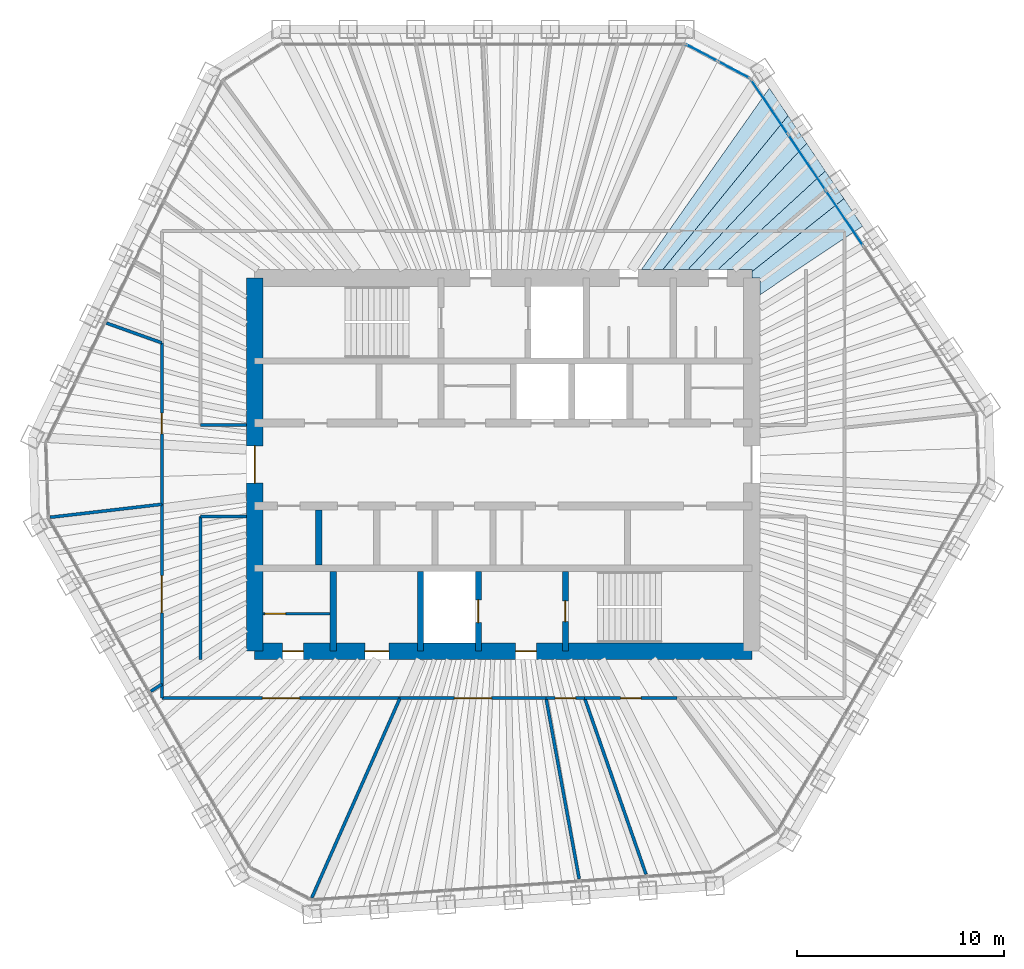
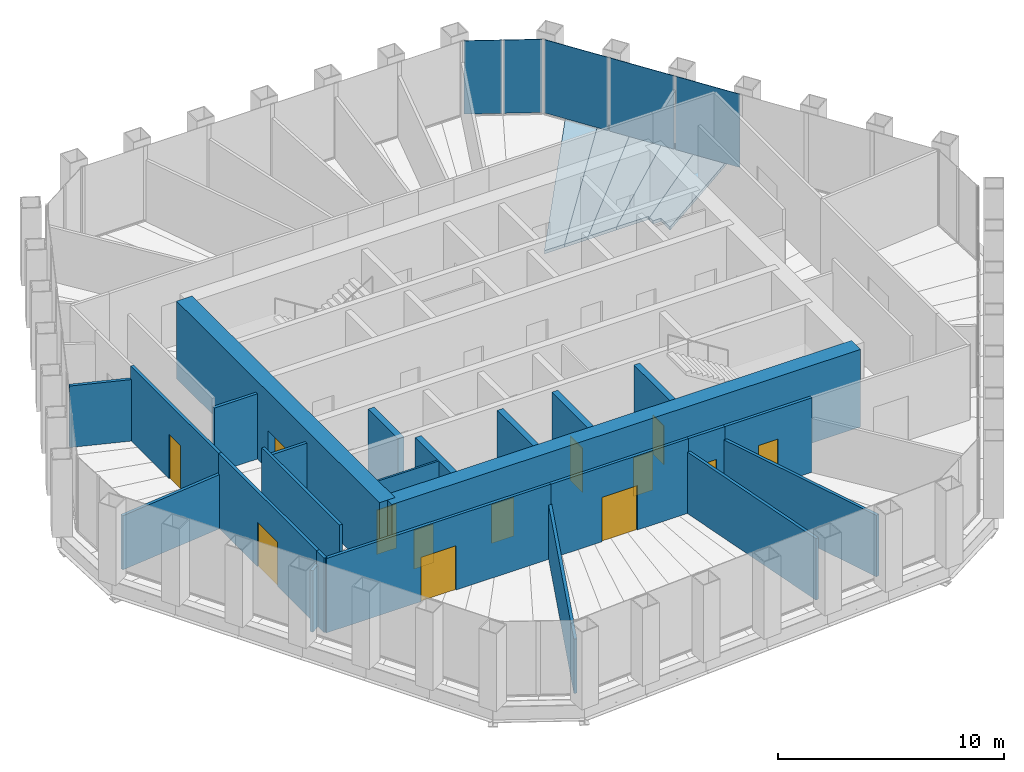
# One storey, part 11 of 15: 24 walls, 13 doors, 5 plates, 5 slabs, 13 openings, 2 elements without a shape of their own.
"""IFC4 building model written with IfcOpenShell, lengths in metres."""

from ifc_helpers import new_model, si_unit, direction, frame, frame_2d, origin, origin_2d, place, context, subcontext, project, spatial, polyline, rectangle, outline, extrude, material, layer, layer_set, type_object, element, fill, aggregate, save


model = new_model("IFC4")

# Units and contexts
model_context = context("Model", 3, precision=1e-05, world=origin(), true_north=direction((0.0, 1.0)))
body_context = subcontext(model_context, "Body", "Model", "MODEL_VIEW")
ifc_project = project(units=[si_unit("LENGTHUNIT", "METRE"), si_unit("AREAUNIT", "SQUARE_METRE"), si_unit("VOLUMEUNIT", "CUBIC_METRE"), si_unit("PLANEANGLEUNIT", "RADIAN"), si_unit("MASSUNIT", "GRAM", prefix="KILO")], contexts=[model_context])

# Site, building, storey
site_placement = place(None, origin())
site = spatial("IfcSite", under=ifc_project, at=site_placement, CompositionType="ELEMENT")
building_placement = place(site_placement, origin())
building = spatial("IfcBuilding", under=site, at=building_placement, Name="Qingtian Harvest Tower", CompositionType="ELEMENT")
storey_placement = place(building_placement, frame((0.0, 0.0, 312.39990234375)))
storey = spatial("IfcBuildingStorey", under=building, at=storey_placement, Name="L69", CompositionType="ELEMENT", Elevation=312.39990234375)

# Slabs
ifc_material_1 = material(Name="Concrete fc' 35 MPa", Category="concrete")
ifc_layer_1 = layer(ifc_material_1, 0.169921875)
ifc_layer_set_1 = layer_set([ifc_layer_1], Name="Composite floor slab FS17 170")
slab_type = type_object("IfcSlabType", Name="Composite floor slab FS17 170", PredefinedType="FLOOR", material=ifc_layer_set_1)
slab_1_placement = place(storey_placement, frame((0.0, 0.0, -0.169921875)))
element("IfcSlab", 1, at=slab_1_placement, inside=storey, type_object=slab_type, Name="Floor slab L69 panel D47", PredefinedType="FLOOR", context=body_context, shape_type="SweptSolid", body=[
    extrude(outline(polyline([(12.39990234375, 9.0), (12.0, 9.0), (12.0, 9.30908203125), (16.44140625, 12.830078125), (17.340576171875, 11.4970703125), (12.39990234375, 8.199462890625), (12.39990234375, 9.0)])), origin(), (0.0, 0.0, 1.0), 0.169921875),
])
slab_2_placement = place(storey_placement, frame((0.0, 0.0, -0.169921875)))
element("IfcSlab", 2, at=slab_2_placement, inside=storey, type_object=slab_type, Name="Floor slab L69 panel D48", PredefinedType="FLOOR", context=body_context, shape_type="SweptSolid", body=[
    extrude(outline(polyline([(12.0, 9.39990234375), (10.349853515625, 9.39990234375), (15.541259765625, 14.164794921875), (16.44140625, 12.830078125), (12.0, 9.30908203125), (12.0, 9.39990234375)])), origin(), (0.0, 0.0, 1.0), 0.169921875),
])
slab_3_placement = place(storey_placement, frame((0.0, 0.0, -0.169921875)))
element("IfcSlab", 3, at=slab_3_placement, inside=storey, type_object=slab_type, Name="Floor slab L69 panel D49", PredefinedType="FLOOR", context=body_context, shape_type="SweptSolid", body=[
    extrude(outline(polyline([(8.907958984375, 9.39990234375), (14.641357421875, 15.498779296875), (15.541259765625, 14.164794921875), (10.349853515625, 9.39990234375), (8.907958984375, 9.39990234375)])), origin(), (0.0, 0.0, 1.0), 0.169921875),
])
slab_4_placement = place(storey_placement, frame((0.0, 0.0, -0.169921875)))
element("IfcSlab", 4, at=slab_4_placement, inside=storey, type_object=slab_type, Name="Floor slab L69 panel D50", PredefinedType="FLOOR", context=body_context, shape_type="SweptSolid", body=[
    extrude(outline(polyline([(7.695556640625, 9.39990234375), (13.74169921875, 16.832763671875), (14.641357421875, 15.498779296875), (8.907958984375, 9.39990234375), (7.695556640625, 9.39990234375)])), origin(), (0.0, 0.0, 1.0), 0.169921875),
])
slab_5_placement = place(storey_placement, frame((0.0, 0.0, -0.169921875)))
element("IfcSlab", 5, at=slab_5_placement, inside=storey, type_object=slab_type, Name="Floor slab L69 panel D51", PredefinedType="FLOOR", context=body_context, shape_type="SweptSolid", body=[
    extrude(outline(polyline([(6.662109375, 9.39990234375), (12.841796875, 18.16650390625), (13.74169921875, 16.832763671875), (7.695556640625, 9.39990234375), (6.662109375, 9.39990234375)])), origin(), (0.0, 0.0, 1.0), 0.169921875),
])

# Curtain wall, plates
ifc_material_2 = material(Name="Bronze-anodised aluminium curtain wall", Category="aluminium")
curtain_wall_type = type_object("IfcCurtainWallType", Name="Curtain wall CW5 upper office", PredefinedType="USERDEFINED", material=ifc_material_2)
curtain_wall_1_placement = place(storey_placement, origin())
curtain_wall_1 = element("IfcCurtainWall", 6, at=curtain_wall_1_placement, inside=storey, type_object=curtain_wall_type, Name="Curtain wall CW5 L69 NC", ObjectType="RECESSED CURTAIN WALL", PredefinedType="USERDEFINED")
ifc_material_3 = material(Name="Bronze-tinted laminated insulating glass", Category="glass")
ifc_layer_2 = layer(ifc_material_3, 0.030029296875)
ifc_layer_set_2 = layer_set([ifc_layer_2], Name="Glazed panel CWP tinted IGU")
plate_type = type_object("IfcPlateType", Name="Glazed panel CWP tinted IGU", PredefinedType="CURTAIN_PANEL", material=ifc_layer_set_2)
plate_1_placement = place(storey_placement, frame((9.57080078125, 19.8720703125, 0.06494140625), z_axis=(0.0, 0.0, 1.0), x_axis=(0.882947592859, -0.469471562786, 0.0)))
plate_1 = element("IfcPlate", 7, at=plate_1_placement, type_object=plate_type, Name="CW5 panel 1.1", PredefinedType="CURTAIN_PANEL", context=body_context, shape_type="SweptSolid", body=[
    extrude(rectangle(XDim=1.69287109375, YDim=0.030029296875, at=origin_2d()), origin(), (0.0, 0.0, 1.0), 3.965087890625),
])
plate_2_placement = place(storey_placement, frame((11.122802734375, 19.046875, 0.06494140625), z_axis=(0.0, 0.0, 1.0), x_axis=(0.882947592859, -0.469471562786, 0.0)))
plate_2 = element("IfcPlate", 8, at=plate_2_placement, type_object=plate_type, Name="CW5 panel 2.1", PredefinedType="CURTAIN_PANEL", context=body_context, shape_type="SweptSolid", body=[
    extrude(rectangle(XDim=1.69287109375, YDim=0.030029296875, at=origin_2d()), origin(), (0.0, 0.0, 1.0), 3.965087890625),
])
aggregate(curtain_wall_1, [plate_1, plate_2])

curtain_wall_2_placement = place(storey_placement, origin())
curtain_wall_2 = element("IfcCurtainWall", 9, at=curtain_wall_2_placement, inside=storey, type_object=curtain_wall_type, Name="Curtain wall CW5 L69 NE0-5", ObjectType="RECESSED CURTAIN WALL", PredefinedType="USERDEFINED")
plate_3_placement = place(storey_placement, frame((12.844970703125, 17.259033203125, 0.06494140625), z_axis=(0.0, 0.0, 1.0), x_axis=(0.559192903471, -0.829037572555, 0.0)))
plate_3 = element("IfcPlate", 10, at=plate_3_placement, type_object=plate_type, Name="CW5 panel 1.1", PredefinedType="CURTAIN_PANEL", context=body_context, shape_type="SweptSolid", body=[
    extrude(rectangle(XDim=3.150634765625, YDim=0.030029296875, at=origin_2d()), origin(), (0.0, 0.0, 1.0), 3.965087890625),
])
plate_4_placement = place(storey_placement, frame((14.652099609375, 14.579833984375, 0.06494140625), z_axis=(0.0, 0.0, 1.0), x_axis=(0.559192903471, -0.829037572555, 0.0)))
plate_4 = element("IfcPlate", 11, at=plate_4_placement, type_object=plate_type, Name="CW5 panel 2.1", PredefinedType="CURTAIN_PANEL", context=body_context, shape_type="SweptSolid", body=[
    extrude(rectangle(XDim=3.18310546875, YDim=0.030029296875, at=origin_2d()), origin(), (0.0, 0.0, 1.0), 3.965087890625),
])
plate_5_placement = place(storey_placement, frame((16.46826171875, 11.886962890625, 0.06494140625), z_axis=(0.0, 0.0, 1.0), x_axis=(0.559192903471, -0.829037572555, 0.0)))
plate_5 = element("IfcPlate", 12, at=plate_5_placement, type_object=plate_type, Name="CW5 panel 3.1", PredefinedType="CURTAIN_PANEL", context=body_context, shape_type="SweptSolid", body=[
    extrude(rectangle(XDim=3.18310546875, YDim=0.030029296875, at=origin_2d()), origin(), (0.0, 0.0, 1.0), 3.965087890625),
])
aggregate(curtain_wall_2, [plate_3, plate_4, plate_5])

# Walls
ifc_material_4 = material(Name="Precast concrete shaft panel", Category="concrete")
ifc_layer_3 = layer(ifc_material_4, 0.300048828125)
ifc_layer_set_3 = layer_set([ifc_layer_3], Name="Core shaft partition SW1 300")
wall_type_1 = type_object("IfcWallType", Name="Core shaft partition SW1 300", PredefinedType="PARTITIONING", material=ifc_layer_set_3)
wall_1_placement = place(storey_placement, frame((-8.89990234375, -4.85009765625, 0.0), z_axis=(0.0, 0.0, 1.0), x_axis=(0.0, 1.0, 0.0)))
element("IfcWall", 13, at=wall_1_placement, inside=storey, type_object=wall_type_1, Name="Core shaft partition XB1 L69", PredefinedType="PARTITIONING", context=body_context, shape_type="SweptSolid", body=[
    extrude(rectangle(XDim=2.650146484375, YDim=0.300048828125, at=frame_2d((1.3251953125, 0.0))), origin(), (0.0, 0.0, 1.0), 3.97998046875),
])
for number, where, z_axis, x_axis, name in (
    (14, (-8.199951171875, -9.0, 0.0), (0.0, 0.0, 1.0), (0.0, 1.0, 0.0), "Core shaft partition XS1 L69"),
    (15, (-4.0, -9.0, 0.0), (0.0, 0.0, 1.0), (0.0, 1.0, 0.0), "Core shaft partition XS2 L69"),
):
    element("IfcWall", number, at=place(storey_placement, frame(where, z_axis=z_axis, x_axis=x_axis)), inside=storey, type_object=wall_type_1, Name=name, PredefinedType="PARTITIONING", context=body_context, shape_type="SweptSolid", body=[
        extrude(rectangle(XDim=3.85009765625, YDim=0.300048828125, at=frame_2d((1.925048828125, 0.0))), origin(), (0.0, 0.0, 1.0), 3.97998046875),
    ])

# Wall, opening, door
wall_2_placement = place(storey_placement, frame((-1.199951171875, -9.0, 0.0), z_axis=(0.0, 0.0, 1.0), x_axis=(0.0, 1.0, 0.0)))
wall_2 = element("IfcWall", 16, at=wall_2_placement, inside=storey, type_object=wall_type_1, Name="Core shaft partition XS3 L69", PredefinedType="PARTITIONING", context=body_context, shape_type="SweptSolid", body=[
    extrude(rectangle(XDim=3.85009765625, YDim=0.300048828125, at=frame_2d((1.925048828125, 0.0))), origin(), (0.0, 0.0, 1.0), 3.97998046875),
])
opening_1_placement = place(wall_2_placement, frame((1.375, 0.0, 0.0)))
opening_1 = element("IfcOpeningElement", 17, at=opening_1_placement, cuts=wall_2, Name="Opening LD1", PredefinedType="OPENING", context=body_context, shape_type="SweptSolid", body=[
    extrude(rectangle(XDim=1.10009765625, YDim=2.39990234375, at=frame_2d((0.550048828125, 1.199951171875))), frame((0.0, 0.159912109375, 0.0), z_axis=(0.0, -1.0, 0.0), x_axis=(1.0, 0.0, 0.0)), (0.0, 0.0, 1.0), 0.320068359375),
])
ifc_material_5 = material(Name="Stainless steel lift landing door", Category="steel")
door_type_1 = type_object("IfcDoorType", Name="Lift landing door LD1 1 HR", OperationType="DOUBLE_DOOR_SLIDING", PredefinedType="DOOR", material=ifc_material_5)
door_1_placement = place(opening_1_placement, origin())
door_1 = element("IfcDoor", 18, at=door_1_placement, inside=storey, type_object=door_type_1, Name="FL2 landing door L69", OperationType="DOUBLE_DOOR_SLIDING", OverallHeight=2.39990234375, OverallWidth=1.10009765625, PredefinedType="DOOR", context=body_context, shape_type="SweptSolid", body=[
    extrude(rectangle(XDim=1.10009765625, YDim=2.39990234375, at=frame_2d((0.550048828125, 1.199951171875))), frame((0.0, 0.02490234375, 0.0), z_axis=(0.0, -1.0, 0.0), x_axis=(1.0, 0.0, 0.0)), (0.0, 0.0, 1.0), 0.050048828125),
])
fill(opening_1, door_1)

wall_3_placement = place(storey_placement, frame((3.0, -9.0, 0.0), z_axis=(0.0, 0.0, 1.0), x_axis=(0.0, 1.0, 0.0)))
wall_3 = element("IfcWall", 19, at=wall_3_placement, inside=storey, type_object=wall_type_1, Name="Core shaft partition XS4 L69", PredefinedType="PARTITIONING", context=body_context, shape_type="SweptSolid", body=[
    extrude(rectangle(XDim=3.85009765625, YDim=0.300048828125, at=frame_2d((1.925048828125, 0.0))), origin(), (0.0, 0.0, 1.0), 3.97998046875),
])
opening_2_placement = place(wall_3_placement, frame((1.425048828125, 0.0, 0.0)))
opening_2 = element("IfcOpeningElement", 20, at=opening_2_placement, cuts=wall_3, Name="Opening FD1", PredefinedType="OPENING", context=body_context, shape_type="SweptSolid", body=[
    extrude(rectangle(XDim=1.0, YDim=2.10009765625, at=frame_2d((0.5, 1.050048828125))), frame((0.0, 0.159912109375, 0.0), z_axis=(0.0, -1.0, 0.0), x_axis=(1.0, 0.0, 0.0)), (0.0, 0.0, 1.0), 0.320068359375),
])
ifc_material_6 = material(Name="Steel-faced door leaf", Category="steel")
door_type_2 = type_object("IfcDoorType", Name="Fire door FD1 single 1 HR", OperationType="SINGLE_SWING_LEFT", PredefinedType="DOOR", material=ifc_material_6)
door_2_placement = place(opening_2_placement, origin())
door_2 = element("IfcDoor", 21, at=door_2_placement, inside=storey, type_object=door_type_2, Name="S2 door L69", OperationType="SINGLE_SWING_RIGHT", OverallHeight=2.10009765625, OverallWidth=1.0, PredefinedType="DOOR", context=body_context, shape_type="SweptSolid", body=[
    extrude(rectangle(XDim=1.0, YDim=2.10009765625, at=frame_2d((0.5, 1.050048828125))), frame((0.0, 0.02490234375, 0.0), z_axis=(0.0, -1.0, 0.0), x_axis=(1.0, 0.0, 0.0)), (0.0, 0.0, 1.0), 0.050048828125),
])
fill(opening_2, door_2)

# Wall, openings, doors
ifc_material_7 = material(Name="Concrete fc' 70 MPa", Category="concrete")
ifc_layer_4 = layer(ifc_material_7, 0.800048828125)
ifc_layer_set_4 = layer_set([ifc_layer_4], Name="Core wall RC4 800")
wall_type_2 = type_object("IfcWallType", Name="Core wall RC4 800", PredefinedType="SHEAR", material=ifc_layer_set_4)
wall_4_placement = place(storey_placement, frame((-12.0, -9.0, 0.0), z_axis=(0.0, 0.0, 1.0), x_axis=(1.0, 0.0, 0.0)))
wall_4 = element("IfcWall", 22, at=wall_4_placement, inside=storey, type_object=wall_type_2, Name="Core wall CS L69", PredefinedType="SHEAR", context=body_context, shape_type="SweptSolid", body=[
    extrude(rectangle(XDim=24.0, YDim=0.800048828125, at=frame_2d((12.0, 0.0))), origin(), (0.0, 0.0, 1.0), 4.2001953125),
])
opening_3_placement = place(wall_4_placement, frame((1.35009765625, 0.0, 0.0)))
opening_3 = element("IfcOpeningElement", 23, at=opening_3_placement, cuts=wall_4, Name="Opening FD1", PredefinedType="OPENING", context=body_context, shape_type="SweptSolid", body=[
    extrude(rectangle(XDim=1.0, YDim=2.10009765625, at=frame_2d((0.5, 1.050048828125))), frame((0.0, 0.409912109375, 0.0), z_axis=(0.0, -1.0, 0.0), x_axis=(1.0, 0.0, 0.0)), (0.0, 0.0, 1.0), 0.820068359375),
])
opening_4_placement = place(wall_4_placement, frame((5.324951171875, 0.0, 0.0)))
opening_4 = element("IfcOpeningElement", 24, at=opening_4_placement, cuts=wall_4, Name="Opening AD1", PredefinedType="OPENING", context=body_context, shape_type="SweptSolid", body=[
    extrude(rectangle(XDim=1.14990234375, YDim=2.10009765625, at=frame_2d((0.574951171875, 1.050048828125))), frame((0.0, 0.409912109375, 0.0), z_axis=(0.0, -1.0, 0.0), x_axis=(1.0, 0.0, 0.0)), (0.0, 0.0, 1.0), 0.820068359375),
])
opening_5_placement = place(wall_4_placement, frame((12.60009765625, 0.0, 0.0)))
opening_5 = element("IfcOpeningElement", 25, at=opening_5_placement, cuts=wall_4, Name="Opening FD1", PredefinedType="OPENING", context=body_context, shape_type="SweptSolid", body=[
    extrude(rectangle(XDim=1.0, YDim=2.10009765625, at=frame_2d((0.5, 1.050048828125))), frame((0.0, 0.409912109375, 0.0), z_axis=(0.0, -1.0, 0.0), x_axis=(1.0, 0.0, 0.0)), (0.0, 0.0, 1.0), 0.820068359375),
])
ifc_material_8 = material(Name="Laminated timber door leaf", Category="wood")
door_type_3 = type_object("IfcDoorType", Name="Accessible WC door AD1 single", OperationType="SINGLE_SWING_LEFT", PredefinedType="DOOR", material=ifc_material_8)
door_3_placement = place(opening_4_placement, origin())
door_3 = element("IfcDoor", 26, at=door_3_placement, inside=storey, type_object=door_type_3, Name="AWC door L69", OperationType="SINGLE_SWING_RIGHT", OverallHeight=2.10009765625, OverallWidth=1.14990234375, PredefinedType="DOOR", context=body_context, shape_type="SweptSolid", body=[
    extrude(rectangle(XDim=1.14990234375, YDim=2.10009765625, at=frame_2d((0.574951171875, 1.050048828125))), frame((0.0, 0.02490234375, 0.0), z_axis=(0.0, -1.0, 0.0), x_axis=(1.0, 0.0, 0.0)), (0.0, 0.0, 1.0), 0.050048828125),
])
fill(opening_4, door_3)
door_4_placement = place(opening_3_placement, origin())
door_4 = element("IfcDoor", 27, at=door_4_placement, inside=storey, type_object=door_type_2, Name="CLN door L69", OperationType="SINGLE_SWING_LEFT", OverallHeight=2.10009765625, OverallWidth=1.0, PredefinedType="DOOR", context=body_context, shape_type="SweptSolid", body=[
    extrude(rectangle(XDim=1.0, YDim=2.10009765625, at=frame_2d((0.5, 1.050048828125))), frame((0.0, 0.02490234375, 0.0), z_axis=(0.0, -1.0, 0.0), x_axis=(1.0, 0.0, 0.0)), (0.0, 0.0, 1.0), 0.050048828125),
])
fill(opening_3, door_4)
door_5_placement = place(opening_5_placement, origin())
door_5 = element("IfcDoor", 28, at=door_5_placement, inside=storey, type_object=door_type_2, Name="V2 door L69", OperationType="SINGLE_SWING_LEFT", OverallHeight=2.10009765625, OverallWidth=1.0, PredefinedType="DOOR", context=body_context, shape_type="SweptSolid", body=[
    extrude(rectangle(XDim=1.0, YDim=2.10009765625, at=frame_2d((0.5, 1.050048828125))), frame((0.0, 0.02490234375, 0.0), z_axis=(0.0, -1.0, 0.0), x_axis=(1.0, 0.0, 0.0)), (0.0, 0.0, 1.0), 0.050048828125),
])
fill(opening_5, door_5)

# Wall, opening, door
wall_5_placement = place(storey_placement, frame((-12.0, -9.0, 0.0), z_axis=(0.0, 0.0, 1.0), x_axis=(0.0, 1.0, 0.0)))
wall_5 = element("IfcWall", 29, at=wall_5_placement, inside=storey, type_object=wall_type_2, Name="Core wall CW L69", PredefinedType="SHEAR", context=body_context, shape_type="SweptSolid", body=[
    extrude(rectangle(XDim=18.0, YDim=0.800048828125, at=frame_2d((9.0, 0.0))), origin(), (0.0, 0.0, 1.0), 4.2001953125),
])
opening_6_placement = place(wall_5_placement, frame((8.10009765625, 0.0, 0.0)))
opening_6 = element("IfcOpeningElement", 30, at=opening_6_placement, cuts=wall_5, Name="Opening FD2", PredefinedType="OPENING", context=body_context, shape_type="SweptSolid", body=[
    extrude(rectangle(XDim=1.800048828125, YDim=2.10009765625, at=frame_2d((0.89990234375, 1.050048828125))), frame((0.0, 0.409912109375, 0.0), z_axis=(0.0, -1.0, 0.0), x_axis=(1.0, 0.0, 0.0)), (0.0, 0.0, 1.0), 0.820068359375),
])
ifc_material_9 = material(Name="Steel-faced door leaf", Category="steel")
door_type_4 = type_object("IfcDoorType", Name="Fire door FD2 double 1 HR", OperationType="DOUBLE_DOOR_DOUBLE_SWING", PredefinedType="DOOR", material=ifc_material_9)
door_6_placement = place(opening_6_placement, origin())
door_6 = element("IfcDoor", 31, at=door_6_placement, inside=storey, type_object=door_type_4, Name="LOBBY-W door L69", OperationType="DOUBLE_DOOR_DOUBLE_SWING", OverallHeight=2.10009765625, OverallWidth=1.800048828125, PredefinedType="DOOR", context=body_context, shape_type="SweptSolid", body=[
    extrude(rectangle(XDim=1.800048828125, YDim=2.10009765625, at=frame_2d((0.89990234375, 1.050048828125))), frame((0.0, 0.02490234375, 0.0), z_axis=(0.0, -1.0, 0.0), x_axis=(1.0, 0.0, 0.0)), (0.0, 0.0, 1.0), 0.050048828125),
])
fill(opening_6, door_6)

ifc_material_10 = material(Name="Gypsum board on steel studs", Category="steel")
ifc_layer_5 = layer(ifc_material_10, 0.14990234375)
ifc_layer_set_5 = layer_set([ifc_layer_5], Name="Partition PT1 150")
wall_type_3 = type_object("IfcWallType", Name="Partition PT1 150", PredefinedType="PARTITIONING", material=ifc_layer_set_5)
wall_6_placement = place(storey_placement, frame((8.38720703125, -11.27490234375, 0.0), z_axis=(0.0, 0.0, 1.0), x_axis=(-1.0, 0.0, 0.0)))
wall_6 = element("IfcWall", 32, at=wall_6_placement, inside=storey, type_object=wall_type_3, Name="Private office wall L69", PredefinedType="PARTITIONING", context=body_context, shape_type="SweptSolid", body=[
    extrude(rectangle(XDim=4.45947265625, YDim=0.14990234375, at=frame_2d((2.229736328125, 0.0))), origin(), (0.0, 0.0, 1.0), 4.030029296875),
])
opening_7_placement = place(wall_6_placement, frame((1.729736328125, 0.0, 0.0)))
opening_7 = element("IfcOpeningElement", 33, at=opening_7_placement, cuts=wall_6, Name="Opening D2", PredefinedType="OPENING", context=body_context, shape_type="SweptSolid", body=[
    extrude(rectangle(XDim=1.0, YDim=2.39990234375, at=frame_2d((0.5, 1.199951171875))), frame((0.0, 0.0849609375, 0.0), z_axis=(0.0, -1.0, 0.0), x_axis=(1.0, 0.0, 0.0)), (0.0, 0.0, 1.0), 0.169921875),
])
ifc_material_11 = material(Name="Laminated timber door leaf", Category="wood")
door_type_5 = type_object("IfcDoorType", Name="Room door D2 single", OperationType="SINGLE_SWING_LEFT", PredefinedType="DOOR", material=ifc_material_11)
door_7_placement = place(opening_7_placement, origin())
door_7 = element("IfcDoor", 34, at=door_7_placement, inside=storey, type_object=door_type_5, Name="Private office door L69", OperationType="SINGLE_SWING_RIGHT", OverallHeight=2.39990234375, OverallWidth=1.0, PredefinedType="DOOR", context=body_context, shape_type="SweptSolid", body=[
    extrude(rectangle(XDim=1.0, YDim=2.39990234375, at=frame_2d((0.5, 1.199951171875))), frame((0.0, 0.02490234375, 0.0), z_axis=(0.0, -1.0, 0.0), x_axis=(1.0, 0.0, 0.0)), (0.0, 0.0, 1.0), 0.050048828125),
])
fill(opening_7, door_7)

# Wall
wall_7_placement = place(storey_placement, frame((6.8876953125, -19.771240234375, 0.0), z_axis=(0.0, 0.0, 1.0), x_axis=(-0.328987878601, 0.944334144111, 0.0)))
element("IfcWall", 35, at=wall_7_placement, inside=storey, type_object=wall_type_3, Name="Private office wall L69", PredefinedType="PARTITIONING", context=body_context, shape_type="SweptSolid", body=[
    extrude(rectangle(XDim=8.9970703125, YDim=0.14990234375, at=frame_2d((4.49853515625, 0.0))), origin(), (0.0, 0.0, 1.0), 3.330078125),
])

# Wall, opening, door
wall_8_placement = place(storey_placement, frame((3.927734375, -11.27490234375, 0.0), z_axis=(0.0, 0.0, 1.0), x_axis=(-1.0, 0.0, 0.0)))
wall_8 = element("IfcWall", 36, at=wall_8_placement, inside=storey, type_object=wall_type_3, Name="Private office wall L69", PredefinedType="PARTITIONING", context=body_context, shape_type="SweptSolid", body=[
    extrude(rectangle(XDim=1.862548828125, YDim=0.14990234375, at=frame_2d((0.93115234375, 0.0))), origin(), (0.0, 0.0, 1.0), 4.030029296875),
])
opening_8_placement = place(wall_8_placement, frame((0.43115234375, 0.0, 0.0)))
opening_8 = element("IfcOpeningElement", 37, at=opening_8_placement, cuts=wall_8, Name="Opening D2", PredefinedType="OPENING", context=body_context, shape_type="SweptSolid", body=[
    extrude(rectangle(XDim=1.0, YDim=2.39990234375, at=frame_2d((0.5, 1.199951171875))), frame((0.0, 0.0849609375, 0.0), z_axis=(0.0, -1.0, 0.0), x_axis=(1.0, 0.0, 0.0)), (0.0, 0.0, 1.0), 0.169921875),
])
door_8_placement = place(opening_8_placement, origin())
door_8 = element("IfcDoor", 38, at=door_8_placement, inside=storey, type_object=door_type_5, Name="Private office door L69", OperationType="SINGLE_SWING_RIGHT", OverallHeight=2.39990234375, OverallWidth=1.0, PredefinedType="DOOR", context=body_context, shape_type="SweptSolid", body=[
    extrude(rectangle(XDim=1.0, YDim=2.39990234375, at=frame_2d((0.5, 1.199951171875))), frame((0.0, 0.02490234375, 0.0), z_axis=(0.0, -1.0, 0.0), x_axis=(1.0, 0.0, 0.0)), (0.0, 0.0, 1.0), 0.050048828125),
])
fill(opening_8, door_8)

# Wall
wall_9_placement = place(storey_placement, frame((3.662353515625, -19.993896484375, 0.0), z_axis=(0.0, 0.0, 1.0), x_axis=(-0.180184416856, 0.983632846098, 0.0)))
element("IfcWall", 39, at=wall_9_placement, inside=storey, type_object=wall_type_3, Name="Workplace zone wall L69", PredefinedType="PARTITIONING", context=body_context, shape_type="SweptSolid", body=[
    extrude(rectangle(XDim=8.864013671875, YDim=0.14990234375, at=frame_2d((4.43212890625, 0.0))), origin(), (0.0, 0.0, 1.0), 3.330078125),
])

# Wall, opening, door
wall_10_placement = place(storey_placement, frame((2.065185546875, -11.27490234375, 0.0), z_axis=(0.0, 0.0, 1.0), x_axis=(-1.0, 0.0, 0.0)))
wall_10 = element("IfcWall", 40, at=wall_10_placement, inside=storey, type_object=wall_type_3, Name="Workplace zone wall L69", PredefinedType="PARTITIONING", context=body_context, shape_type="SweptSolid", body=[
    extrude(rectangle(XDim=7.048095703125, YDim=0.14990234375, at=frame_2d((3.52392578125, 0.0))), origin(), (0.0, 0.0, 1.0), 4.030029296875),
])
opening_9_placement = place(wall_10_placement, frame((2.6240234375, 0.0, 0.0)))
opening_9 = element("IfcOpeningElement", 41, at=opening_9_placement, cuts=wall_10, Name="Opening D3", PredefinedType="OPENING", context=body_context, shape_type="SweptSolid", body=[
    extrude(rectangle(XDim=1.800048828125, YDim=2.39990234375, at=frame_2d((0.89990234375, 1.199951171875))), frame((0.0, 0.0849609375, 0.0), z_axis=(0.0, -1.0, 0.0), x_axis=(1.0, 0.0, 0.0)), (0.0, 0.0, 1.0), 0.169921875),
])
ifc_material_12 = material(Name="Laminated timber door leaf", Category="wood")
door_type_6 = type_object("IfcDoorType", Name="Room door D3 double", OperationType="DOUBLE_DOOR_DOUBLE_SWING", PredefinedType="DOOR", material=ifc_material_12)
door_9_placement = place(opening_9_placement, origin())
door_9 = element("IfcDoor", 42, at=door_9_placement, inside=storey, type_object=door_type_6, Name="Workplace zone door L69", OperationType="DOUBLE_DOOR_DOUBLE_SWING", OverallHeight=2.39990234375, OverallWidth=1.800048828125, PredefinedType="DOOR", context=body_context, shape_type="SweptSolid", body=[
    extrude(rectangle(XDim=1.800048828125, YDim=2.39990234375, at=frame_2d((0.89990234375, 1.199951171875))), frame((0.0, 0.02490234375, 0.0), z_axis=(0.0, -1.0, 0.0), x_axis=(1.0, 0.0, 0.0)), (0.0, 0.0, 1.0), 0.050048828125),
])
fill(opening_9, door_9)

# Wall
wall_11_placement = place(storey_placement, frame((-9.23974609375, -20.906982421875, 0.0), z_axis=(0.0, 0.0, 1.0), x_axis=(0.404227449851, 0.91465849845, 0.0)))
element("IfcWall", 43, at=wall_11_placement, inside=storey, type_object=wall_type_3, Name="Test kitchen wall L69", PredefinedType="PARTITIONING", context=body_context, shape_type="SweptSolid", body=[
    extrude(rectangle(XDim=10.53076171875, YDim=0.14990234375, at=frame_2d((5.265380859375, 0.0))), origin(), (0.0, 0.0, 1.0), 2.93017578125),
])

# Wall, opening, door
wall_12_placement = place(storey_placement, frame((-4.98291015625, -11.27490234375, 0.0), z_axis=(0.0, 0.0, 1.0), x_axis=(-1.0, 0.0, 0.0)))
wall_12 = element("IfcWall", 44, at=wall_12_placement, inside=storey, type_object=wall_type_3, Name="Test kitchen wall L69", PredefinedType="PARTITIONING", context=body_context, shape_type="SweptSolid", body=[
    extrude(rectangle(XDim=11.4921875, YDim=0.14990234375, at=frame_2d((5.74609375, 0.0))), origin(), (0.0, 0.0, 1.0), 4.030029296875),
])
opening_10_placement = place(wall_12_placement, frame((4.845947265625, 0.0, 0.0)))
opening_10 = element("IfcOpeningElement", 45, at=opening_10_placement, cuts=wall_12, Name="Opening D3", PredefinedType="OPENING", context=body_context, shape_type="SweptSolid", body=[
    extrude(rectangle(XDim=1.800048828125, YDim=2.39990234375, at=frame_2d((0.89990234375, 1.199951171875))), frame((0.0, 0.0849609375, 0.0), z_axis=(0.0, -1.0, 0.0), x_axis=(1.0, 0.0, 0.0)), (0.0, 0.0, 1.0), 0.169921875),
])
door_10_placement = place(opening_10_placement, origin())
door_10 = element("IfcDoor", 46, at=door_10_placement, inside=storey, type_object=door_type_6, Name="Test kitchen door L69", OperationType="DOUBLE_DOOR_DOUBLE_SWING", OverallHeight=2.39990234375, OverallWidth=1.800048828125, PredefinedType="DOOR", context=body_context, shape_type="SweptSolid", body=[
    extrude(rectangle(XDim=1.800048828125, YDim=2.39990234375, at=frame_2d((0.89990234375, 1.199951171875))), frame((0.0, 0.02490234375, 0.0), z_axis=(0.0, -1.0, 0.0), x_axis=(1.0, 0.0, 0.0)), (0.0, 0.0, 1.0), 0.050048828125),
])
fill(opening_10, door_10)

# Walls
wall_13_placement = place(storey_placement, frame((-16.47509765625, -11.27490234375, 0.0), z_axis=(0.0, 0.0, 1.0), x_axis=(0.0, 1.0, 0.0)))
element("IfcWall", 47, at=wall_13_placement, inside=storey, type_object=wall_type_3, Name="Test kitchen wall L69", PredefinedType="PARTITIONING", context=body_context, shape_type="SweptSolid", body=[
    extrude(rectangle(XDim=0.67431640625, YDim=0.14990234375, at=frame_2d((0.337158203125, 0.0))), origin(), (0.0, 0.0, 1.0), 4.030029296875),
])
wall_14_placement = place(storey_placement, frame((-17.007080078125, -10.943115234375, 0.0), z_axis=(0.0, 0.0, 1.0), x_axis=(0.840789611822, 0.541362012568, 0.0)))
element("IfcWall", 48, at=wall_14_placement, inside=storey, type_object=wall_type_3, Name="Tasting room wall L69", PredefinedType="PARTITIONING", context=body_context, shape_type="SweptSolid", body=[
    extrude(rectangle(XDim=0.6328125, YDim=0.14990234375, at=frame_2d((0.31640625, 0.0))), origin(), (0.0, 0.0, 1.0), 3.330078125),
])

# Wall, opening, door
wall_15_placement = place(storey_placement, frame((-16.47509765625, -10.6005859375, 0.0), z_axis=(0.0, 0.0, 1.0), x_axis=(0.0, 1.0, 0.0)))
wall_15 = element("IfcWall", 49, at=wall_15_placement, inside=storey, type_object=wall_type_3, Name="Tasting room wall L69", PredefinedType="PARTITIONING", context=body_context, shape_type="SweptSolid", body=[
    extrude(rectangle(XDim=8.681396484375, YDim=0.14990234375, at=frame_2d((4.3408203125, 0.0))), origin(), (0.0, 0.0, 1.0), 4.030029296875),
])
opening_11_placement = place(wall_15_placement, frame((3.440673828125, 0.0, 0.0)))
opening_11 = element("IfcOpeningElement", 50, at=opening_11_placement, cuts=wall_15, Name="Opening D3", PredefinedType="OPENING", context=body_context, shape_type="SweptSolid", body=[
    extrude(rectangle(XDim=1.800048828125, YDim=2.39990234375, at=frame_2d((0.89990234375, 1.199951171875))), frame((0.0, 0.0849609375, 0.0), z_axis=(0.0, -1.0, 0.0), x_axis=(1.0, 0.0, 0.0)), (0.0, 0.0, 1.0), 0.169921875),
])
door_11_placement = place(opening_11_placement, origin())
door_11 = element("IfcDoor", 51, at=door_11_placement, inside=storey, type_object=door_type_6, Name="Tasting room door L69", OperationType="DOUBLE_DOOR_DOUBLE_SWING", OverallHeight=2.39990234375, OverallWidth=1.800048828125, PredefinedType="DOOR", context=body_context, shape_type="SweptSolid", body=[
    extrude(rectangle(XDim=1.800048828125, YDim=2.39990234375, at=frame_2d((0.89990234375, 1.199951171875))), frame((0.0, 0.02490234375, 0.0), z_axis=(0.0, -1.0, 0.0), x_axis=(1.0, 0.0, 0.0)), (0.0, 0.0, 1.0), 0.050048828125),
])
fill(opening_11, door_11)

# Wall
wall_16_placement = place(storey_placement, frame((-21.864013671875, -2.546875, 0.0), z_axis=(0.0, 0.0, 1.0), x_axis=(0.993284789299, 0.115694975458, 0.0)))
element("IfcWall", 52, at=wall_16_placement, inside=storey, type_object=wall_type_3, Name="Pantry wall L69", PredefinedType="PARTITIONING", context=body_context, shape_type="SweptSolid", body=[
    extrude(rectangle(XDim=5.42529296875, YDim=0.14990234375, at=frame_2d((2.712646484375, 0.0))), origin(), (0.0, 0.0, 1.0), 2.93017578125),
])

# Wall, opening, door
wall_17_placement = place(storey_placement, frame((-16.47509765625, -1.919189453125, 0.0), z_axis=(0.0, 0.0, 1.0), x_axis=(0.0, 1.0, 0.0)))
wall_17 = element("IfcWall", 53, at=wall_17_placement, inside=storey, type_object=wall_type_3, Name="Pantry wall L69", PredefinedType="PARTITIONING", context=body_context, shape_type="SweptSolid", body=[
    extrude(rectangle(XDim=7.792236328125, YDim=0.14990234375, at=frame_2d((3.89599609375, 0.0))), origin(), (0.0, 0.0, 1.0), 4.030029296875),
])
opening_12_placement = place(wall_17_placement, frame((3.39599609375, 0.0, 0.0)))
opening_12 = element("IfcOpeningElement", 54, at=opening_12_placement, cuts=wall_17, Name="Opening D2", PredefinedType="OPENING", context=body_context, shape_type="SweptSolid", body=[
    extrude(rectangle(XDim=1.0, YDim=2.39990234375, at=frame_2d((0.5, 1.199951171875))), frame((0.0, 0.0849609375, 0.0), z_axis=(0.0, -1.0, 0.0), x_axis=(1.0, 0.0, 0.0)), (0.0, 0.0, 1.0), 0.169921875),
])
door_12_placement = place(opening_12_placement, origin())
door_12 = element("IfcDoor", 55, at=door_12_placement, inside=storey, type_object=door_type_5, Name="Pantry door L69", OperationType="SINGLE_SWING_LEFT", OverallHeight=2.39990234375, OverallWidth=1.0, PredefinedType="DOOR", context=body_context, shape_type="SweptSolid", body=[
    extrude(rectangle(XDim=1.0, YDim=2.39990234375, at=frame_2d((0.5, 1.199951171875))), frame((0.0, 0.02490234375, 0.0), z_axis=(0.0, -1.0, 0.0), x_axis=(1.0, 0.0, 0.0)), (0.0, 0.0, 1.0), 0.050048828125),
])
fill(opening_12, door_12)

# Walls
wall_18_placement = place(storey_placement, frame((-19.146240234375, 6.8251953125, 0.0), z_axis=(0.0, 0.0, 1.0), x_axis=(0.94194625765, -0.335763678351, 0.0)))
element("IfcWall", 56, at=wall_18_placement, inside=storey, type_object=wall_type_3, Name="Focus room wall L69", PredefinedType="PARTITIONING", context=body_context, shape_type="SweptSolid", body=[
    extrude(rectangle(XDim=2.835693359375, YDim=0.14990234375, at=frame_2d((1.41796875, 0.0))), origin(), (0.0, 0.0, 1.0), 3.330078125),
])
wall_19_placement = place(storey_placement, frame((-12.39990234375, 1.89990234375, 0.0), z_axis=(0.0, 0.0, 1.0), x_axis=(-1.0, 0.0, 0.0)))
element("IfcWall", 57, at=wall_19_placement, inside=storey, type_object=wall_type_3, Name="Breakout space wall L69", PredefinedType="PARTITIONING", context=body_context, shape_type="SweptSolid", body=[
    extrude(rectangle(XDim=2.2001953125, YDim=0.14990234375, at=frame_2d((1.10009765625, 0.0))), origin(), (0.0, 0.0, 1.0), 3.530029296875),
])
wall_20_placement = place(storey_placement, frame((-14.60009765625, -9.39990234375, 0.0), z_axis=(0.0, 0.0, 1.0), x_axis=(0.0, 1.0, 0.0)))
element("IfcWall", 58, at=wall_20_placement, inside=storey, type_object=wall_type_3, Name="Reading area wall L69", PredefinedType="PARTITIONING", context=body_context, shape_type="SweptSolid", body=[
    extrude(rectangle(XDim=6.89990234375, YDim=0.14990234375, at=frame_2d((3.449951171875, 0.0))), origin(), (0.0, 0.0, 1.0), 4.030029296875),
])
wall_21_placement = place(storey_placement, frame((-12.39990234375, -2.5, 0.0), z_axis=(0.0, 0.0, 1.0), x_axis=(-1.0, 0.0, 0.0)))
element("IfcWall", 59, at=wall_21_placement, inside=storey, type_object=wall_type_3, Name="Reading area wall L69", PredefinedType="PARTITIONING", context=body_context, shape_type="SweptSolid", body=[
    extrude(rectangle(XDim=2.2001953125, YDim=0.14990234375, at=frame_2d((1.10009765625, 0.0))), origin(), (0.0, 0.0, 1.0), 3.530029296875),
])

# Wall, opening, door
ifc_material_13 = material(Name="Concrete block partition", Category="concrete")
ifc_layer_6 = layer(ifc_material_13, 0.10009765625)
ifc_layer_set_6 = layer_set([ifc_layer_6], Name="Store partition PT3 100")
wall_type_4 = type_object("IfcWallType", Name="Store partition PT3 100", PredefinedType="PARTITIONING", material=ifc_layer_set_6)
wall_22_placement = place(storey_placement, frame((-11.60009765625, -7.199951171875, 0.0), z_axis=(0.0, 0.0, 1.0), x_axis=(1.0, 0.0, 0.0)))
wall_22 = element("IfcWall", 60, at=wall_22_placement, inside=storey, type_object=wall_type_4, Name="Waste store wall L69", PredefinedType="PARTITIONING", context=body_context, shape_type="SweptSolid", body=[
    extrude(rectangle(XDim=3.25, YDim=0.10009765625, at=frame_2d((1.625, 0.0))), origin(), (0.0, 0.0, 1.0), 3.97998046875),
])
opening_13_placement = place(wall_22_placement, frame((0.10009765625, 0.0, 0.0)))
opening_13 = element("IfcOpeningElement", 61, at=opening_13_placement, cuts=wall_22, Name="Opening D2", PredefinedType="OPENING", context=body_context, shape_type="SweptSolid", body=[
    extrude(rectangle(XDim=1.0, YDim=2.39990234375, at=frame_2d((0.5, 1.199951171875))), frame((0.0, 0.06005859375, 0.0), z_axis=(0.0, -1.0, 0.0), x_axis=(1.0, 0.0, 0.0)), (0.0, 0.0, 1.0), 0.1201171875),
])
door_13_placement = place(opening_13_placement, origin())
door_13 = element("IfcDoor", 62, at=door_13_placement, inside=storey, type_object=door_type_5, Name="Waste store door L69", OperationType="SINGLE_SWING_LEFT", OverallHeight=2.39990234375, OverallWidth=1.0, PredefinedType="DOOR", context=body_context, shape_type="SweptSolid", body=[
    extrude(rectangle(XDim=1.0, YDim=2.39990234375, at=frame_2d((0.5, 1.199951171875))), frame((0.0, 0.02490234375, 0.0), z_axis=(0.0, -1.0, 0.0), x_axis=(1.0, 0.0, 0.0)), (0.0, 0.0, 1.0), 0.050048828125),
])
fill(opening_13, door_13)

save(model, "model.ifc")
